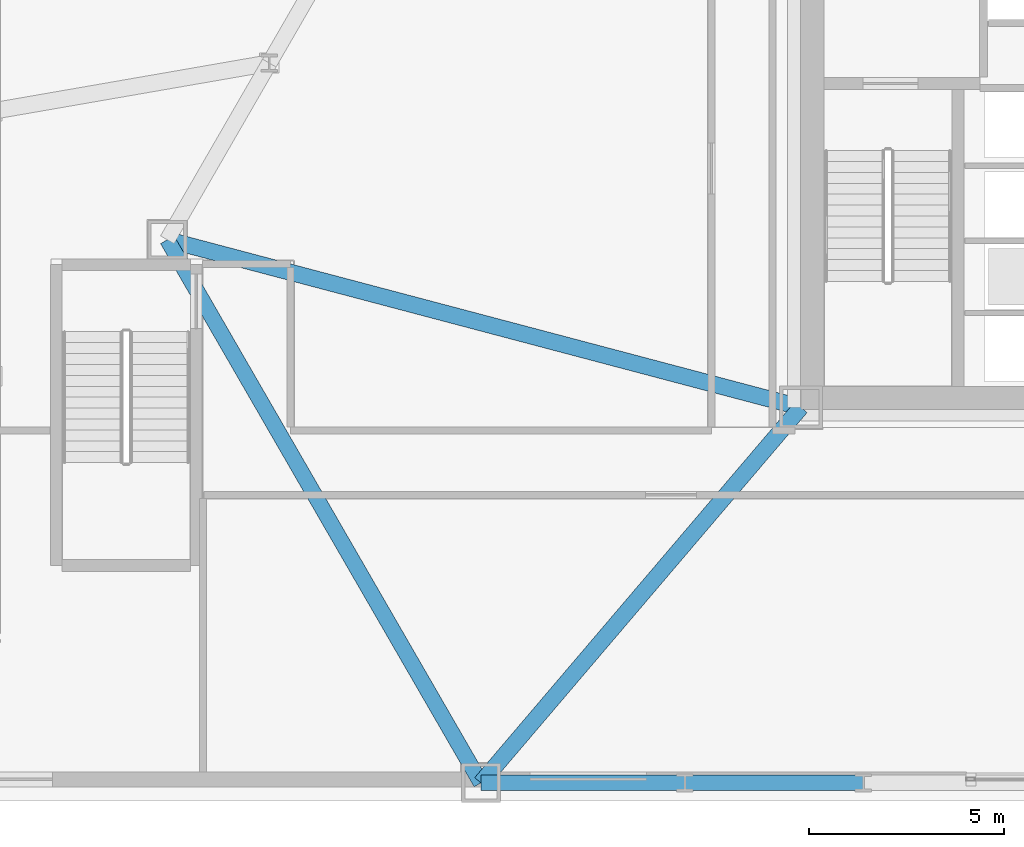
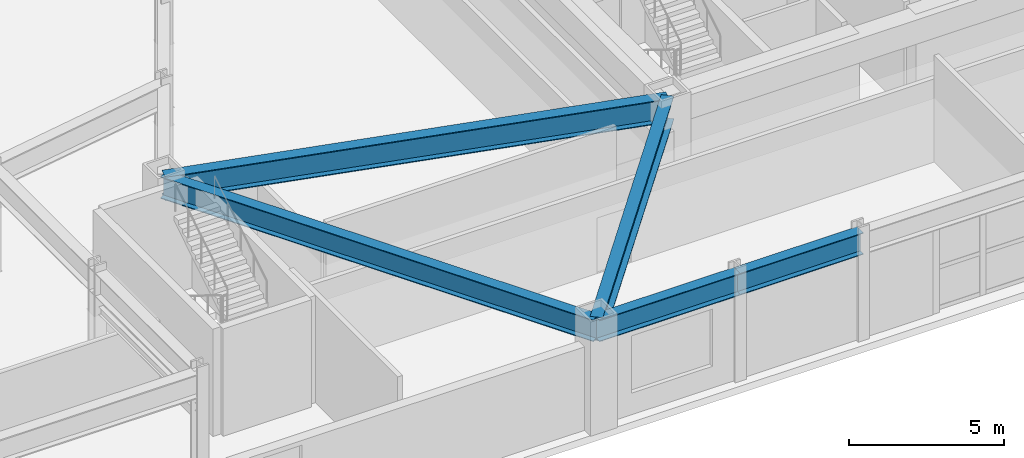
# One storey, part 3 of 21: 5 beams.
"""IFC4 building model written with IfcOpenShell, lengths in metres."""

from ifc_helpers import new_model, si_unit, direction, frame, origin, origin_2d, place, context, subcontext, project, spatial, i_section, extrude, material, material_profile, profile_set, type_object, element, save


model = new_model("IFC4")

# Units and contexts
model_context = context("Model", 3, precision=1e-05, world=origin(), true_north=direction((0.0, 1.0)))
body_context = subcontext(model_context, "Body", "Model", "MODEL_VIEW")
ifc_project = project(units=[si_unit("LENGTHUNIT", "METRE"), si_unit("AREAUNIT", "SQUARE_METRE"), si_unit("VOLUMEUNIT", "CUBIC_METRE"), si_unit("PLANEANGLEUNIT", "RADIAN"), si_unit("MASSUNIT", "GRAM", prefix="KILO")], contexts=[model_context])

# Site, building, storey
site_placement = place(None, origin())
site = spatial("IfcSite", under=ifc_project, at=site_placement, CompositionType="ELEMENT")
building_placement = place(site_placement, origin())
building = spatial("IfcBuilding", under=site, at=building_placement, Name="Oramaril Tower", CompositionType="ELEMENT")
storey_placement = place(building_placement, frame((0.0, 0.0, 5.39990234375)))
storey = spatial("IfcBuildingStorey", under=building, at=storey_placement, Name="L01", CompositionType="ELEMENT", Elevation=5.39990234375)

# Beams
ifc_material_1 = material(Name="Steel ASTM A572 Gr 50", Category="steel")
ifc_material_profile_1 = material_profile(ifc_material_1, i_section(OverallWidth=0.4189453125, OverallDepth=0.927001953125, WebThickness=0.019287109375, FlangeThickness=0.031982421875, at=origin_2d()), Name="W36X231")
ifc_profile_set_1 = profile_set([ifc_material_profile_1], Name="Steel ASTM A572 Gr 50")
beam_type_1 = type_object("IfcBeamType", Name="BT-PG2", PredefinedType="BEAM", material=ifc_profile_set_1)
beam_1_placement = place(storey_placement, frame((29.35009765625, 11.0, 3.756591796875), z_axis=(-0.966766980937, 0.255659157024, 0.0), x_axis=(-0.255659157024, -0.966766980937, 0.0)))
element("IfcBeam", 1, at=beam_1_placement, inside=storey, type_object=beam_type_1, Name="L01 Radial Primary Beam RB-01", PredefinedType="BEAM", context=body_context, shape_type="SweptSolid", body=[
    extrude(i_section(OverallWidth=0.4189453125, OverallDepth=0.927001953125, WebThickness=0.019287109375, FlangeThickness=0.031982421875, at=origin_2d()), origin(), (0.0, 0.0, 1.0), 16.819580078125),
])
beam_2_placement = place(storey_placement, frame((29.35009765625, 11.0, 3.756591796875), z_axis=(-0.64848466157, -0.761227721322, 0.0), x_axis=(0.761227721322, -0.64848466157, 0.0)))
element("IfcBeam", 2, at=beam_2_placement, inside=storey, type_object=beam_type_1, Name="L01 Radial Primary Beam RB-02", PredefinedType="BEAM", context=body_context, shape_type="SweptSolid", body=[
    extrude(i_section(OverallWidth=0.4189453125, OverallDepth=0.927001953125, WebThickness=0.019287109375, FlangeThickness=0.031982421875, at=origin_2d()), origin(), (0.0, 0.0, 1.0), 12.66357421875),
])
ifc_material_2 = material(Name="Steel ASTM A572 Gr 50", Category="steel")
ifc_material_profile_2 = material_profile(ifc_material_2, i_section(OverallWidth=0.40087890625, OverallDepth=0.85595703125, WebThickness=0.018310546875, FlangeThickness=0.029296875, at=origin_2d()), Name="W33X201")
ifc_profile_set_2 = profile_set([ifc_material_profile_2], Name="Steel ASTM A572 Gr 50")
beam_type_2 = type_object("IfcBeamType", Name="BT-SP1", PredefinedType="SPANDREL", material=ifc_profile_set_2)
beam_3_placement = place(storey_placement, frame((13.089599609375, 15.300048828125, 3.7919921875), z_axis=(0.500005168208, -0.866022419898, 0.0), x_axis=(0.866022419898, 0.500005168208, 0.0)))
element("IfcBeam", 3, at=beam_3_placement, inside=storey, type_object=beam_type_2, Name="L01 Perimeter Spandrel 01", PredefinedType="SPANDREL", context=body_context, shape_type="SweptSolid", body=[
    extrude(i_section(OverallWidth=0.40087890625, OverallDepth=0.85595703125, WebThickness=0.018310546875, FlangeThickness=0.029296875, at=origin_2d()), origin(), (0.0, 0.0, 1.0), 16.096435546875),
])
beam_4_placement = place(storey_placement, frame((21.137939453125, 1.360107421875, 3.7919921875), z_axis=(1.0, 0.0, 0.0), x_axis=(0.0, 1.0, 0.0)))
element("IfcBeam", 4, at=beam_4_placement, inside=storey, type_object=beam_type_2, Name="L01 Perimeter Spandrel 02", PredefinedType="SPANDREL", context=body_context, shape_type="SweptSolid", body=[
    extrude(i_section(OverallWidth=0.40087890625, OverallDepth=0.85595703125, WebThickness=0.018310546875, FlangeThickness=0.029296875, at=origin_2d()), origin(), (0.0, 0.0, 1.0), 5.23583984375),
])
beam_5_placement = place(storey_placement, frame((26.373779296875, 1.360107421875, 3.7919921875), z_axis=(1.0, 0.0, 0.0), x_axis=(0.0, 1.0, 0.0)))
element("IfcBeam", 5, at=beam_5_placement, inside=storey, type_object=beam_type_2, Name="L01 Perimeter Spandrel 03", PredefinedType="SPANDREL", context=body_context, shape_type="SweptSolid", body=[
    extrude(i_section(OverallWidth=0.40087890625, OverallDepth=0.85595703125, WebThickness=0.018310546875, FlangeThickness=0.029296875, at=origin_2d()), origin(), (0.0, 0.0, 1.0), 4.581298828125),
])

save(model, "model.ifc")
